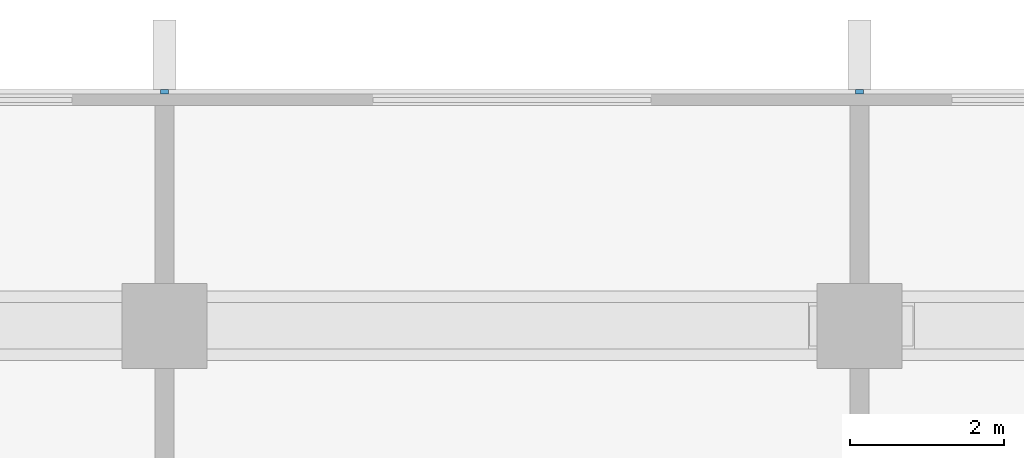
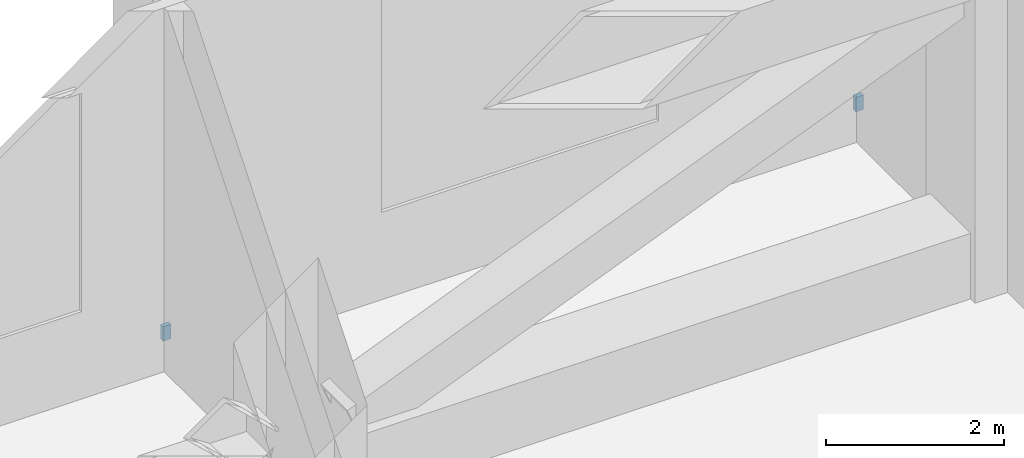
# One storey, part 11 of 13: 2 discrete accessories.
"""IFC4 building model written with IfcOpenShell, lengths in metres."""

from ifc_helpers import new_model, si_unit, direction, frame, origin, origin_2d, place, context, subcontext, project, spatial, rectangle, extrude, material, type_object, element, save


model = new_model("IFC4")

# Units and contexts
model_context = context("Model", 3, precision=1e-05, world=origin(), true_north=direction((0.0, 1.0)))
body_context = subcontext(model_context, "Body", "Model", "MODEL_VIEW")
ifc_project = project(units=[si_unit("LENGTHUNIT", "METRE"), si_unit("AREAUNIT", "SQUARE_METRE"), si_unit("VOLUMEUNIT", "CUBIC_METRE"), si_unit("PLANEANGLEUNIT", "RADIAN"), si_unit("MASSUNIT", "GRAM", prefix="KILO")], contexts=[model_context])

# Site, building, storey
site_placement = place(None, origin())
site = spatial("IfcSite", under=ifc_project, at=site_placement, CompositionType="ELEMENT")
building_placement = place(site_placement, origin())
building = spatial("IfcBuilding", under=site, at=building_placement, Name="Finial Court Residences", CompositionType="ELEMENT")
storey_placement = place(building_placement, frame((0.0, 0.0, 75.699951171875)))
storey = spatial("IfcBuildingStorey", under=building, at=storey_placement, Name="L18", CompositionType="ELEMENT", Elevation=75.699951171875)

# Discrete accessories
ifc_material = material(Name="Stainless steel 316", Category="steel")
discrete_accessory_type = type_object("IfcDiscreteAccessoryType", Name="Fin bracket, stainless steel 100 x 60 x 200", PredefinedType="BRACKET", material=ifc_material)
for number, where, z_axis, x_axis, name in (
    (1, (-4.5, 28.530029296875, 0.30029296875), (0.0, 0.0, 1.0), (1.0, 0.0, 0.0), "E-L18-FIN-N4-BRK"),
    (2, (4.5, 28.530029296875, 0.30029296875), (0.0, 0.0, 1.0), (1.0, 0.0, 0.0), "E-L18-FIN-N5-BRK"),
):
    element("IfcDiscreteAccessory", number, at=place(storey_placement, frame(where, z_axis=z_axis, x_axis=x_axis)), inside=storey, type_object=discrete_accessory_type, Name=name, PredefinedType="BRACKET", context=body_context, shape_type="SweptSolid", body=[
        extrude(rectangle(XDim=0.10009765625, YDim=0.06005859375, at=origin_2d()), origin(), (0.0, 0.0, 1.0), 0.199951171875),
    ])

save(model, "model.ifc")
